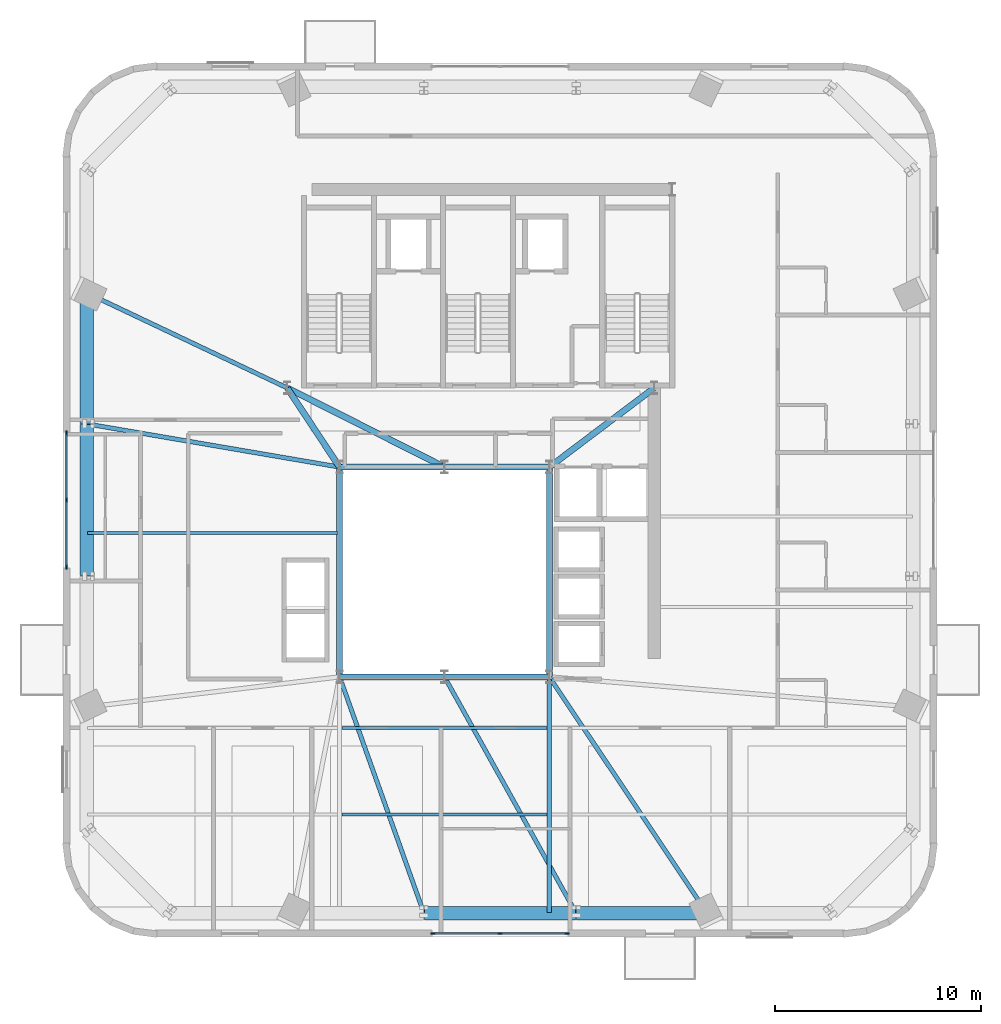
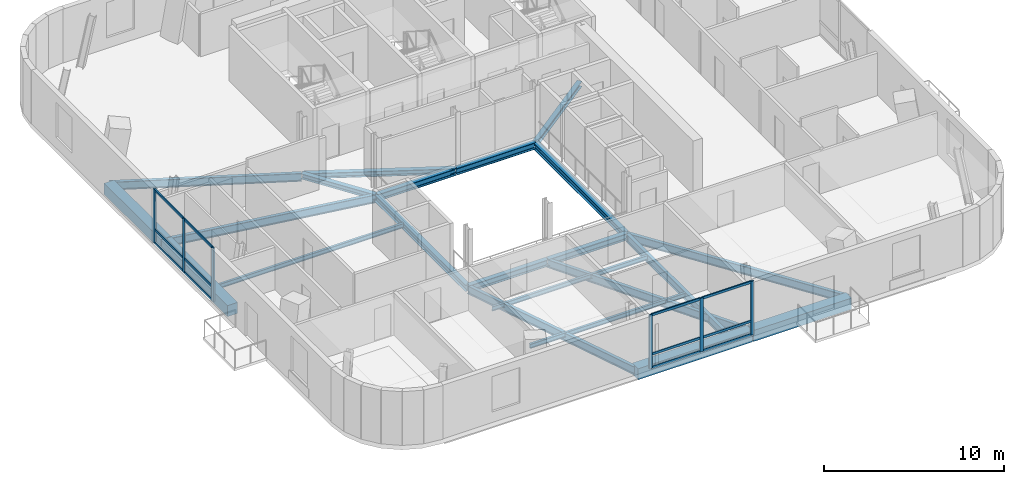
# One storey, part 2 of 14: 22 beams, 18 members, 2 elements without a shape of their own.
"""IFC4 building model written with IfcOpenShell, lengths in metres."""

from ifc_helpers import new_model, si_unit, direction, frame, origin, origin_2d, place, context, subcontext, project, spatial, rectangle, i_section, extrude, source, transform, mapped, material, material_profile, profile_set, type_object, element, aggregate, save


model = new_model("IFC4")

# Units and contexts
model_context = context("Model", 3, precision=1e-05, world=origin(), true_north=direction((0.0, 1.0)))
body_context = subcontext(model_context, "Body", "Model", "MODEL_VIEW")
ifc_project = project(units=[si_unit("LENGTHUNIT", "METRE"), si_unit("AREAUNIT", "SQUARE_METRE"), si_unit("VOLUMEUNIT", "CUBIC_METRE"), si_unit("PLANEANGLEUNIT", "RADIAN"), si_unit("MASSUNIT", "GRAM", prefix="KILO")], contexts=[model_context])

# Site, building, storey
site_placement = place(None, origin())
site = spatial("IfcSite", under=ifc_project, at=site_placement, CompositionType="ELEMENT")
building_placement = place(site_placement, origin())
building = spatial("IfcBuilding", under=site, at=building_placement, Name="Vardaveli Station Tower", CompositionType="ELEMENT")
storey_placement = place(building_placement, frame((0.0, 0.0, 270.35009765625)))
storey = spatial("IfcBuildingStorey", under=building, at=storey_placement, Name="L69", CompositionType="ELEMENT", Elevation=270.35009765625)

# Beams
ifc_material_1 = material(Name="Structural steel S355J2", Category="steel")
ifc_material_profile_1 = material_profile(ifc_material_1, i_section(OverallWidth=0.300048828125, OverallDepth=0.449951171875, WebThickness=0.013916015625, FlangeThickness=0.02587890625, FilletRadius=0.027099609375, at=origin_2d()), Name="HEB 450")
ifc_profile_set_1 = profile_set([ifc_material_profile_1], Name="Structural steel S355J2")
beam_type_1 = type_object("IfcBeamType", Name="BM-HEB450", PredefinedType="BEAM", material=ifc_profile_set_1)
shared_shape_1 = source(origin(), body_context, "Body", "SweptSolid", [
    extrude(i_section(OverallWidth=0.300048828125, OverallDepth=0.449951171875, WebThickness=0.013916015625, FlangeThickness=0.02587890625, FilletRadius=0.027099609375, at=origin_2d()), origin(), (0.0, 0.0, 1.0), 5.06005859375),
])
for number, where, z_axis, x_axis, name in (
    (1, (31.219970703125, 16.60009765625, -0.525146484375), (1.0, 0.0, 0.0), (0.0, 1.0, 0.0), "ABM-L69-01"),
    (2, (36.280029296875, 26.800048828125, -0.525146484375), (-1.0, 0.0, 0.0), (0.0, -1.0, 0.0), "ABM-L69-05"),
):
    element("IfcBeam", number, at=place(storey_placement, frame(where, z_axis=z_axis, x_axis=x_axis)), inside=storey, type_object=beam_type_1, Name=name, PredefinedType="BEAM", context=body_context, shape_type="MappedRepresentation", body=[
        mapped(shared_shape_1, transform((0.0, 0.0, 0.0), scale=1.0)),
    ])
shared_shape_2 = source(origin(), body_context, "Body", "SweptSolid", [
    extrude(i_section(OverallWidth=0.300048828125, OverallDepth=0.449951171875, WebThickness=0.013916015625, FlangeThickness=0.02587890625, FilletRadius=0.027099609375, at=origin_2d()), origin(), (0.0, 0.0, 1.0), 5.059814453125),
])
for number, where, z_axis, x_axis, name in (
    (3, (36.320068359375, 16.60009765625, -0.525146484375), (1.0, 0.0, 0.0), (0.0, 1.0, 0.0), "ABM-L69-02"),
    (4, (41.3798828125, 26.800048828125, -0.525146484375), (-1.0, 0.0, 0.0), (0.0, -1.0, 0.0), "ABM-L69-04"),
):
    element("IfcBeam", number, at=place(storey_placement, frame(where, z_axis=z_axis, x_axis=x_axis)), inside=storey, type_object=beam_type_1, Name=name, PredefinedType="BEAM", context=body_context, shape_type="MappedRepresentation", body=[
        mapped(shared_shape_2, transform((0.0, 0.0, 0.0), scale=1.0)),
    ])
shared_shape_3 = source(origin(), body_context, "Body", "SweptSolid", [
    extrude(i_section(OverallWidth=0.300048828125, OverallDepth=0.449951171875, WebThickness=0.013916015625, FlangeThickness=0.02587890625, FilletRadius=0.027099609375, at=origin_2d()), origin(), (0.0, 0.0, 1.0), 10.159912109375),
])
for number, where, z_axis, x_axis, name in (
    (5, (41.39990234375, 16.6201171875, -0.525146484375), (0.0, 1.0, 0.0), (-1.0, 0.0, 0.0), "ABM-L69-03"),
    (6, (31.199951171875, 26.780029296875, -0.525146484375), (0.0, -1.0, 0.0), (1.0, 0.0, 0.0), "ABM-L69-06"),
):
    element("IfcBeam", number, at=place(storey_placement, frame(where, z_axis=z_axis, x_axis=x_axis)), inside=storey, type_object=beam_type_1, Name=name, PredefinedType="BEAM", context=body_context, shape_type="MappedRepresentation", body=[
        mapped(shared_shape_3, transform((0.0, 0.0, 0.0), scale=1.0)),
    ])
ifc_material_profile_2 = material_profile(ifc_material_1, i_section(OverallWidth=0.300048828125, OverallDepth=0.360107421875, WebThickness=0.012451171875, FlangeThickness=0.0224609375, FilletRadius=0.027099609375, at=origin_2d()), Name="HEB 360")
ifc_profile_set_2 = profile_set([ifc_material_profile_2], Name="Structural steel S355J2")
beam_type_2 = type_object("IfcBeamType", Name="BM-HEB360", PredefinedType="BEAM", material=ifc_profile_set_2)
shared_shape_4 = source(origin(), body_context, "Body", "SweptSolid", [
    extrude(i_section(OverallWidth=0.300048828125, OverallDepth=0.360107421875, WebThickness=0.012451171875, FlangeThickness=0.0224609375, FilletRadius=0.027099609375, at=origin_2d()), origin(), (0.0, 0.0, 1.0), 4.577880859375),
])
beam_1_placement = place(storey_placement, frame((31.18896484375, 26.816650390625, -0.47998046875), z_axis=(-0.55218702139, 0.833720272879, 0.0), x_axis=(-0.833720272879, -0.55218702139, 0.0)))
element("IfcBeam", 7, at=beam_1_placement, inside=storey, type_object=beam_type_2, Name="CBM-L69-01", PredefinedType="BEAM", context=body_context, shape_type="MappedRepresentation", body=[
    mapped(shared_shape_4, transform((0.0, 0.0, 0.0), scale=1.0)),
])
shared_shape_5 = source(origin(), body_context, "Body", "SweptSolid", [
    extrude(i_section(OverallWidth=0.300048828125, OverallDepth=0.360107421875, WebThickness=0.012451171875, FlangeThickness=0.0224609375, FilletRadius=0.027099609375, at=origin_2d()), origin(), (0.0, 0.0, 1.0), 6.35009765625),
])
beam_2_placement = place(storey_placement, frame((41.416015625, 26.81201171875, -0.47998046875), z_axis=(0.798118337722, 0.602500721154, 0.0), x_axis=(-0.602500721154, 0.798118337722, 0.0)))
element("IfcBeam", 8, at=beam_2_placement, inside=storey, type_object=beam_type_2, Name="CBM-L69-02", PredefinedType="BEAM", context=body_context, shape_type="MappedRepresentation", body=[
    mapped(shared_shape_5, transform((0.0, 0.0, 0.0), scale=1.0)),
])
shared_shape_6 = source(origin(), body_context, "Body", "SweptSolid", [
    extrude(i_section(OverallWidth=0.300048828125, OverallDepth=0.360107421875, WebThickness=0.012451171875, FlangeThickness=0.0224609375, FilletRadius=0.027099609375, at=origin_2d()), origin(), (0.0, 0.0, 1.0), 8.524169921875),
])
beam_3_placement = place(storey_placement, frame((28.66796875, 30.64111328125, -0.47998046875), z_axis=(0.893255584708, -0.449549174605, 0.0), x_axis=(0.449549174605, 0.893255584708, 0.0)))
element("IfcBeam", 9, at=beam_3_placement, inside=storey, type_object=beam_type_2, Name="CBM-L69-03", PredefinedType="BEAM", context=body_context, shape_type="MappedRepresentation", body=[
    mapped(shared_shape_6, transform((0.0, 0.0, 0.0), scale=1.0)),
])
ifc_material_2 = material(Name="Precast concrete C45/55", Category="concrete")
ifc_material_profile_3 = material_profile(ifc_material_2, rectangle(XDim=0.64990234375, YDim=0.75, at=origin_2d()), Name="LPB 650x750")
ifc_profile_set_3 = profile_set([ifc_material_profile_3], Name="Precast concrete C45/55")
beam_type_3 = type_object("IfcBeamType", Name="BM-LPB-750", PredefinedType="BEAM", material=ifc_profile_set_3)
shared_shape_7 = source(origin(), body_context, "Body", "SweptSolid", [
    extrude(rectangle(XDim=0.64990234375, YDim=0.75, at=origin_2d()), origin(), (0.0, 0.0, 1.0), 7.35986328125),
])
for number, where, z_axis, x_axis, name in (
    (10, (35.320068359375, 5.110107421875, -0.675048828125), (1.0, 0.0, 0.0), (0.0, 1.0, 0.0), "RBM-L69-02"),
    (11, (18.909912109375, 28.8798828125, -0.675048828125), (0.0, -1.0, 0.0), (1.0, 0.0, 0.0), "RBM-L69-20"),
):
    element("IfcBeam", number, at=place(storey_placement, frame(where, z_axis=z_axis, x_axis=x_axis)), inside=storey, type_object=beam_type_3, Name=name, PredefinedType="BEAM", context=body_context, shape_type="MappedRepresentation", body=[
        mapped(shared_shape_7, transform((0.0, 0.0, 0.0), scale=1.0)),
    ])
ifc_material_profile_4 = material_profile(ifc_material_1, i_section(OverallWidth=0.14990234375, OverallDepth=0.300048828125, WebThickness=0.007080078125, FlangeThickness=0.0107421875, FilletRadius=0.014892578125, at=origin_2d()), Name="IPE 300")
ifc_profile_set_4 = profile_set([ifc_material_profile_4], Name="Structural steel S355J2")
beam_type_4 = type_object("IfcBeamType", Name="BM-IPE300", PredefinedType="JOIST", material=ifc_profile_set_4)
shared_shape_8 = source(origin(), body_context, "Body", "SweptSolid", [
    extrude(i_section(OverallWidth=0.14990234375, OverallDepth=0.300048828125, WebThickness=0.007080078125, FlangeThickness=0.0107421875, FilletRadius=0.014892578125, at=origin_2d()), origin(), (0.0, 0.0, 1.0), 9.97607421875),
])
for number, where, z_axis, x_axis, name in (
    (12, (31.31201171875, 9.909912109375, -0.4501953125), (1.0, 0.0, 0.0), (0.0, 1.0, 0.0), "SJ-L69-S02"),
    (13, (31.31201171875, 14.110107421875, -0.4501953125), (1.0, 0.0, 0.0), (0.0, 1.0, 0.0), "SJ-L69-S05"),
):
    element("IfcBeam", number, at=place(storey_placement, frame(where, z_axis=z_axis, x_axis=x_axis)), inside=storey, type_object=beam_type_4, Name=name, PredefinedType="JOIST", context=body_context, shape_type="MappedRepresentation", body=[
        mapped(shared_shape_8, transform((0.0, 0.0, 0.0), scale=1.0)),
    ])
shared_shape_9 = source(origin(), body_context, "Body", "SweptSolid", [
    extrude(rectangle(XDim=0.64990234375, YDim=0.75, at=origin_2d()), origin(), (0.0, 0.0, 1.0), 6.328125),
])
for number, where, z_axis, x_axis, name in (
    (14, (42.719970703125, 5.110107421875, -0.675048828125), (1.0, 0.0, 0.0), (0.0, 1.0, 0.0), "RBM-L69-03"),
    (15, (18.909912109375, 35.248046875, -0.675048828125), (0.0, -1.0, 0.0), (1.0, 0.0, 0.0), "RBM-L69-19"),
):
    element("IfcBeam", number, at=place(storey_placement, frame(where, z_axis=z_axis, x_axis=x_axis)), inside=storey, type_object=beam_type_3, Name=name, PredefinedType="BEAM", context=body_context, shape_type="MappedRepresentation", body=[
        mapped(shared_shape_9, transform((0.0, 0.0, 0.0), scale=1.0)),
    ])
ifc_material_profile_5 = material_profile(ifc_material_1, i_section(OverallWidth=0.2099609375, OverallDepth=0.550048828125, WebThickness=0.010986328125, FlangeThickness=0.01708984375, FilletRadius=0.02392578125, at=origin_2d()), Name="IPE 550")
ifc_profile_set_5 = profile_set([ifc_material_profile_5], Name="Structural steel S355J2")
beam_type_5 = type_object("IfcBeamType", Name="BM-IPE550", PredefinedType="BEAM", material=ifc_profile_set_5)
shared_shape_10 = source(origin(), body_context, "Body", "SweptSolid", [
    extrude(i_section(OverallWidth=0.2099609375, OverallDepth=0.550048828125, WebThickness=0.010986328125, FlangeThickness=0.01708984375, FilletRadius=0.02392578125, at=origin_2d()), origin(), (0.0, 0.0, 1.0), 12.159423828125),
])
beam_4_placement = place(storey_placement, frame((35.293212890625, 5.12890625, -0.5751953125), z_axis=(-0.336071821624, 0.941836360899, 0.0), x_axis=(-0.941836360899, -0.336071821624, 0.0)))
element("IfcBeam", 16, at=beam_4_placement, inside=storey, type_object=beam_type_5, Name="GBM-L69-02", PredefinedType="BEAM", context=body_context, shape_type="MappedRepresentation", body=[
    mapped(shared_shape_10, transform((0.0, 0.0, 0.0), scale=1.0)),
])
shared_shape_11 = source(origin(), body_context, "Body", "SweptSolid", [
    extrude(i_section(OverallWidth=0.2099609375, OverallDepth=0.550048828125, WebThickness=0.010986328125, FlangeThickness=0.01708984375, FilletRadius=0.02392578125, at=origin_2d()), origin(), (0.0, 0.0, 1.0), 13.112060546875),
])
beam_5_placement = place(storey_placement, frame((42.690185546875, 5.12744140625, -0.5751953125), z_axis=(-0.486600662843, 0.87362451598, 0.0), x_axis=(-0.87362451598, -0.486600662843, 0.0)))
element("IfcBeam", 17, at=beam_5_placement, inside=storey, type_object=beam_type_5, Name="GBM-L69-03", PredefinedType="BEAM", context=body_context, shape_type="MappedRepresentation", body=[
    mapped(shared_shape_11, transform((0.0, 0.0, 0.0), scale=1.0)),
])
shared_shape_12 = source(origin(), body_context, "Body", "SweptSolid", [
    extrude(i_section(OverallWidth=0.2099609375, OverallDepth=0.550048828125, WebThickness=0.010986328125, FlangeThickness=0.01708984375, FilletRadius=0.02392578125, at=origin_2d()), origin(), (0.0, 0.0, 1.0), 13.7734375),
])
beam_6_placement = place(storey_placement, frame((49.056884765625, 5.126708984375, -0.5751953125), z_axis=(-0.555105086821, 0.831780224931, 0.0), x_axis=(-0.831780224931, -0.555105086821, 0.0)))
element("IfcBeam", 18, at=beam_6_placement, inside=storey, type_object=beam_type_5, Name="GBM-L69-04", PredefinedType="BEAM", context=body_context, shape_type="MappedRepresentation", body=[
    mapped(shared_shape_12, transform((0.0, 0.0, 0.0), scale=1.0)),
])
shared_shape_13 = source(origin(), body_context, "Body", "SweptSolid", [
    extrude(i_section(OverallWidth=0.2099609375, OverallDepth=0.550048828125, WebThickness=0.010986328125, FlangeThickness=0.01708984375, FilletRadius=0.02392578125, at=origin_2d()), origin(), (0.0, 0.0, 1.0), 12.427978515625),
])
beam_7_placement = place(storey_placement, frame((18.9296875, 28.896728515625, -0.5751953125), z_axis=(0.985713524494, -0.168430542449, 0.0), x_axis=(0.168430542449, 0.985713524494, 0.0)))
element("IfcBeam", 19, at=beam_7_placement, inside=storey, type_object=beam_type_5, Name="GBM-L69-08", PredefinedType="BEAM", context=body_context, shape_type="MappedRepresentation", body=[
    mapped(shared_shape_13, transform((0.0, 0.0, 0.0), scale=1.0)),
])
shared_shape_14 = source(origin(), body_context, "Body", "SweptSolid", [
    extrude(i_section(OverallWidth=0.2099609375, OverallDepth=0.550048828125, WebThickness=0.010986328125, FlangeThickness=0.01708984375, FilletRadius=0.02392578125, at=origin_2d()), origin(), (0.0, 0.0, 1.0), 10.739501953125),
])
beam_8_placement = place(storey_placement, frame((18.927978515625, 35.259521484375, -0.5751953125), z_axis=(0.9035752985, -0.428429317321, 0.0), x_axis=(0.428429317321, 0.9035752985, 0.0)))
element("IfcBeam", 20, at=beam_8_placement, inside=storey, type_object=beam_type_5, Name="GBM-L69-12", PredefinedType="BEAM", context=body_context, shape_type="MappedRepresentation", body=[
    mapped(shared_shape_14, transform((0.0, 0.0, 0.0), scale=1.0)),
])
shared_shape_15 = source(origin(), body_context, "Body", "SweptSolid", [
    extrude(i_section(OverallWidth=0.2099609375, OverallDepth=0.550048828125, WebThickness=0.010986328125, FlangeThickness=0.01708984375, FilletRadius=0.02392578125, at=origin_2d()), origin(), (0.0, 0.0, 1.0), 11.31005859375),
])
beam_9_placement = place(storey_placement, frame((41.39990234375, 5.14990234375, -0.5751953125), z_axis=(0.0, 1.0, 0.0), x_axis=(-1.0, 0.0, 0.0)))
element("IfcBeam", 21, at=beam_9_placement, inside=storey, type_object=beam_type_5, Name="NSM-L69-S2", PredefinedType="BEAM", context=body_context, shape_type="MappedRepresentation", body=[
    mapped(shared_shape_15, transform((0.0, 0.0, 0.0), scale=1.0)),
])
shared_shape_16 = source(origin(), body_context, "Body", "SweptSolid", [
    extrude(i_section(OverallWidth=0.14990234375, OverallDepth=0.300048828125, WebThickness=0.007080078125, FlangeThickness=0.0107421875, FilletRadius=0.014892578125, at=origin_2d()), origin(), (0.0, 0.0, 1.0), 12.137939453125),
])
beam_10_placement = place(storey_placement, frame((18.949951171875, 23.60009765625, -0.4501953125), z_axis=(1.0, 0.0, 0.0), x_axis=(0.0, 1.0, 0.0)))
element("IfcBeam", 22, at=beam_10_placement, inside=storey, type_object=beam_type_4, Name="SJ-L69-W08", PredefinedType="JOIST", context=body_context, shape_type="MappedRepresentation", body=[
    mapped(shared_shape_16, transform((0.0, 0.0, 0.0), scale=1.0)),
])

# Curtain wall, members
ifc_material_3 = material(Name="Travertine stone and solar-control glass", Category="masonry")
curtain_wall_type = type_object("IfcCurtainWallType", Name="CW-SYS-5", PredefinedType="NOTDEFINED", material=ifc_material_3)
curtain_wall_1_placement = place(storey_placement, origin())
curtain_wall_1 = element("IfcCurtainWall", 23, at=curtain_wall_1_placement, inside=storey, type_object=curtain_wall_type, Name="CW-L69-S", PredefinedType="NOTDEFINED")
ifc_material_4 = material(Name="Anodised aluminium alloy 6063-T6", Category="aluminium")
ifc_material_profile_6 = material_profile(ifc_material_4, rectangle(XDim=0.080078125, YDim=0.1650390625, at=origin_2d()), Name="CWT 80x165")
ifc_profile_set_6 = profile_set([ifc_material_profile_6], Name="Anodised aluminium alloy 6063-T6")
member_type_1 = type_object("IfcMemberType", Name="CW-SYS-5-TRAN", PredefinedType="NOTDEFINED", material=ifc_profile_set_6)
shared_shape_17 = source(origin(), body_context, "Body", "SweptSolid", [
    extrude(rectangle(XDim=0.080078125, YDim=0.1650390625, at=origin_2d()), origin(), (0.0, 0.0, 1.0), 3.179931640625),
])
member_1_placement = place(storey_placement, frame((35.780029296875, 4.1201171875, 0.039794921875), z_axis=(1.0, 0.0, 0.0), x_axis=(0.0, 1.0, 0.0)))
member_1 = element("IfcMember", 24, at=member_1_placement, type_object=member_type_1, Name="CW-5 transom 1.1", ObjectType="TRANSOM", PredefinedType="USERDEFINED", context=body_context, shape_type="MappedRepresentation", body=[
    mapped(shared_shape_17, transform((0.0, 0.0, 0.0), scale=1.0)),
])
member_2_placement = place(storey_placement, frame((35.780029296875, 4.1201171875, 0.949951171875), z_axis=(1.0, 0.0, 0.0), x_axis=(0.0, 1.0, 0.0)))
member_2 = element("IfcMember", 25, at=member_2_placement, type_object=member_type_1, Name="CW-5 transom 1.2", ObjectType="TRANSOM", PredefinedType="USERDEFINED", context=body_context, shape_type="MappedRepresentation", body=[
    mapped(shared_shape_17, transform((0.0, 0.0, 0.0), scale=1.0)),
])
member_3_placement = place(storey_placement, frame((35.780029296875, 4.1201171875, 3.60986328125), z_axis=(1.0, 0.0, 0.0), x_axis=(0.0, 1.0, 0.0)))
member_3 = element("IfcMember", 26, at=member_3_placement, type_object=member_type_1, Name="CW-5 transom 1.3", ObjectType="TRANSOM", PredefinedType="USERDEFINED", context=body_context, shape_type="MappedRepresentation", body=[
    mapped(shared_shape_17, transform((0.0, 0.0, 0.0), scale=1.0)),
])
member_4_placement = place(storey_placement, frame((39.0400390625, 4.1201171875, 0.039794921875), z_axis=(1.0, 0.0, 0.0), x_axis=(0.0, 1.0, 0.0)))
member_4 = element("IfcMember", 27, at=member_4_placement, type_object=member_type_1, Name="CW-5 transom 2.1", ObjectType="TRANSOM", PredefinedType="USERDEFINED", context=body_context, shape_type="MappedRepresentation", body=[
    mapped(shared_shape_17, transform((0.0, 0.0, 0.0), scale=1.0)),
])
member_5_placement = place(storey_placement, frame((39.0400390625, 4.1201171875, 0.949951171875), z_axis=(1.0, 0.0, 0.0), x_axis=(0.0, 1.0, 0.0)))
member_5 = element("IfcMember", 28, at=member_5_placement, type_object=member_type_1, Name="CW-5 transom 2.2", ObjectType="TRANSOM", PredefinedType="USERDEFINED", context=body_context, shape_type="MappedRepresentation", body=[
    mapped(shared_shape_17, transform((0.0, 0.0, 0.0), scale=1.0)),
])
member_6_placement = place(storey_placement, frame((39.0400390625, 4.1201171875, 3.60986328125), z_axis=(1.0, 0.0, 0.0), x_axis=(0.0, 1.0, 0.0)))
member_6 = element("IfcMember", 29, at=member_6_placement, type_object=member_type_1, Name="CW-5 transom 2.3", ObjectType="TRANSOM", PredefinedType="USERDEFINED", context=body_context, shape_type="MappedRepresentation", body=[
    mapped(shared_shape_17, transform((0.0, 0.0, 0.0), scale=1.0)),
])

curtain_wall_2_placement = place(storey_placement, origin())
curtain_wall_2 = element("IfcCurtainWall", 30, at=curtain_wall_2_placement, inside=storey, type_object=curtain_wall_type, Name="CW-L69-W", PredefinedType="NOTDEFINED")
member_7_placement = place(storey_placement, frame((17.919921875, 28.419921875, 0.039794921875), z_axis=(0.0, -1.0, 0.0), x_axis=(1.0, 0.0, 0.0)))
member_7 = element("IfcMember", 31, at=member_7_placement, type_object=member_type_1, Name="CW-5 transom 1.1", ObjectType="TRANSOM", PredefinedType="USERDEFINED", context=body_context, shape_type="MappedRepresentation", body=[
    mapped(shared_shape_17, transform((0.0, 0.0, 0.0), scale=1.0)),
])
member_8_placement = place(storey_placement, frame((17.919921875, 28.419921875, 0.949951171875), z_axis=(0.0, -1.0, 0.0), x_axis=(1.0, 0.0, 0.0)))
member_8 = element("IfcMember", 32, at=member_8_placement, type_object=member_type_1, Name="CW-5 transom 1.2", ObjectType="TRANSOM", PredefinedType="USERDEFINED", context=body_context, shape_type="MappedRepresentation", body=[
    mapped(shared_shape_17, transform((0.0, 0.0, 0.0), scale=1.0)),
])
member_9_placement = place(storey_placement, frame((17.919921875, 28.419921875, 3.60986328125), z_axis=(0.0, -1.0, 0.0), x_axis=(1.0, 0.0, 0.0)))
member_9 = element("IfcMember", 33, at=member_9_placement, type_object=member_type_1, Name="CW-5 transom 1.3", ObjectType="TRANSOM", PredefinedType="USERDEFINED", context=body_context, shape_type="MappedRepresentation", body=[
    mapped(shared_shape_17, transform((0.0, 0.0, 0.0), scale=1.0)),
])
member_10_placement = place(storey_placement, frame((17.919921875, 25.159912109375, 0.039794921875), z_axis=(0.0, -1.0, 0.0), x_axis=(1.0, 0.0, 0.0)))
member_10 = element("IfcMember", 34, at=member_10_placement, type_object=member_type_1, Name="CW-5 transom 2.1", ObjectType="TRANSOM", PredefinedType="USERDEFINED", context=body_context, shape_type="MappedRepresentation", body=[
    mapped(shared_shape_17, transform((0.0, 0.0, 0.0), scale=1.0)),
])
member_11_placement = place(storey_placement, frame((17.919921875, 25.159912109375, 0.949951171875), z_axis=(0.0, -1.0, 0.0), x_axis=(1.0, 0.0, 0.0)))
member_11 = element("IfcMember", 35, at=member_11_placement, type_object=member_type_1, Name="CW-5 transom 2.2", ObjectType="TRANSOM", PredefinedType="USERDEFINED", context=body_context, shape_type="MappedRepresentation", body=[
    mapped(shared_shape_17, transform((0.0, 0.0, 0.0), scale=1.0)),
])
member_12_placement = place(storey_placement, frame((17.919921875, 25.159912109375, 3.60986328125), z_axis=(0.0, -1.0, 0.0), x_axis=(1.0, 0.0, 0.0)))
member_12 = element("IfcMember", 36, at=member_12_placement, type_object=member_type_1, Name="CW-5 transom 2.3", ObjectType="TRANSOM", PredefinedType="USERDEFINED", context=body_context, shape_type="MappedRepresentation", body=[
    mapped(shared_shape_17, transform((0.0, 0.0, 0.0), scale=1.0)),
])

# Member
ifc_material_profile_7 = material_profile(ifc_material_4, rectangle(XDim=0.080078125, YDim=0.205078125, at=origin_2d()), Name="CWM 80x205")
ifc_profile_set_7 = profile_set([ifc_material_profile_7], Name="Anodised aluminium alloy 6063-T6")
member_type_2 = type_object("IfcMemberType", Name="CW-SYS-5-MULL", PredefinedType="MULLION", material=ifc_profile_set_7)
shared_shape_18 = source(origin(), body_context, "Body", "SweptSolid", [
    extrude(rectangle(XDim=0.080078125, YDim=0.205078125, at=origin_2d()), origin(), (0.0, 0.0, 1.0), 3.64990234375),
])
member_13_placement = place(storey_placement, frame((35.739990234375, 4.1201171875, 0.0), z_axis=(0.0, 0.0, 1.0), x_axis=(0.0, 1.0, 0.0)))
member_13 = element("IfcMember", 37, at=member_13_placement, type_object=member_type_2, Name="CW-5 mullion 1", PredefinedType="MULLION", context=body_context, shape_type="MappedRepresentation", body=[
    mapped(shared_shape_18, transform((0.0, 0.0, 0.0), scale=1.0)),
])

member_14_placement = place(storey_placement, frame((39.0, 4.1201171875, 0.0), z_axis=(0.0, 0.0, 1.0), x_axis=(0.0, 1.0, 0.0)))
member_14 = element("IfcMember", 38, at=member_14_placement, type_object=member_type_2, Name="CW-5 mullion 2", PredefinedType="MULLION", context=body_context, shape_type="MappedRepresentation", body=[
    mapped(shared_shape_18, transform((0.0, 0.0, 0.0), scale=1.0)),
])

member_15_placement = place(storey_placement, frame((42.260009765625, 4.1201171875, 0.0), z_axis=(0.0, 0.0, 1.0), x_axis=(0.0, 1.0, 0.0)))
member_15 = element("IfcMember", 39, at=member_15_placement, type_object=member_type_2, Name="CW-5 mullion 3", PredefinedType="MULLION", context=body_context, shape_type="MappedRepresentation", body=[
    mapped(shared_shape_18, transform((0.0, 0.0, 0.0), scale=1.0)),
])

aggregate(curtain_wall_1, [member_13, member_14, member_15, member_1, member_2, member_3, member_4, member_5, member_6])

member_16_placement = place(storey_placement, frame((17.919921875, 28.4599609375, 0.0), z_axis=(0.0, 0.0, 1.0), x_axis=(1.0, 0.0, 0.0)))
member_16 = element("IfcMember", 40, at=member_16_placement, type_object=member_type_2, Name="CW-5 mullion 1", PredefinedType="MULLION", context=body_context, shape_type="MappedRepresentation", body=[
    mapped(shared_shape_18, transform((0.0, 0.0, 0.0), scale=1.0)),
])

member_17_placement = place(storey_placement, frame((17.919921875, 25.199951171875, 0.0), z_axis=(0.0, 0.0, 1.0), x_axis=(1.0, 0.0, 0.0)))
member_17 = element("IfcMember", 41, at=member_17_placement, type_object=member_type_2, Name="CW-5 mullion 2", PredefinedType="MULLION", context=body_context, shape_type="MappedRepresentation", body=[
    mapped(shared_shape_18, transform((0.0, 0.0, 0.0), scale=1.0)),
])

member_18_placement = place(storey_placement, frame((17.919921875, 21.93994140625, 0.0), z_axis=(0.0, 0.0, 1.0), x_axis=(1.0, 0.0, 0.0)))
member_18 = element("IfcMember", 42, at=member_18_placement, type_object=member_type_2, Name="CW-5 mullion 3", PredefinedType="MULLION", context=body_context, shape_type="MappedRepresentation", body=[
    mapped(shared_shape_18, transform((0.0, 0.0, 0.0), scale=1.0)),
])

aggregate(curtain_wall_2, [member_16, member_17, member_18, member_7, member_8, member_9, member_10, member_11, member_12])

save(model, "model.ifc")
